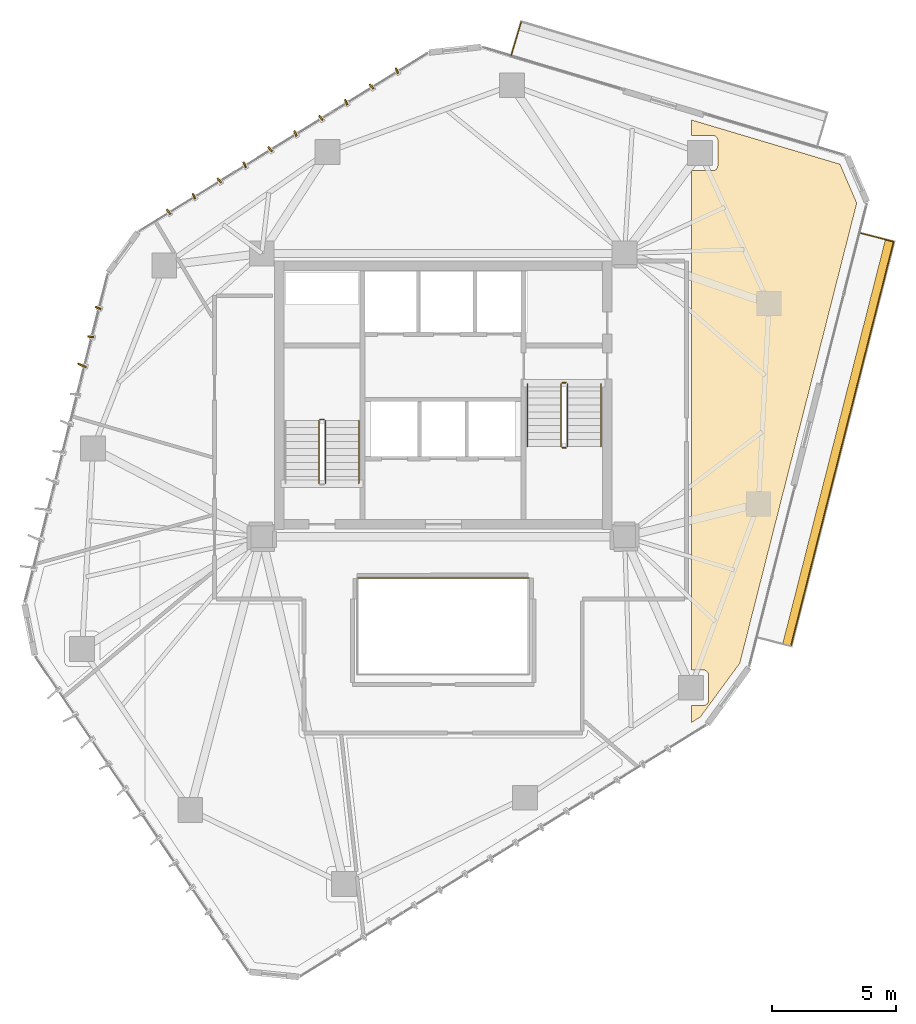
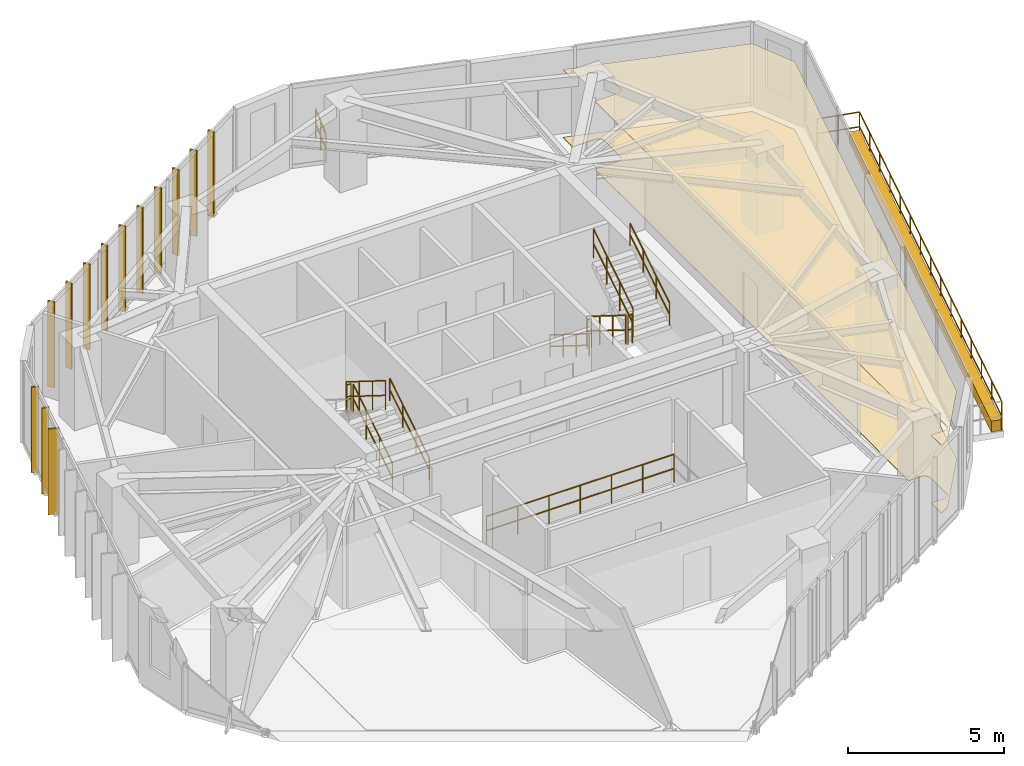
# One storey, part 20 of 21: 14 railings, 13 shading devices, 3 coverings.
"""IFC4 building model written with IfcOpenShell, lengths in metres."""

from ifc_helpers import new_model, si_unit, direction, frame, origin, origin_2d, place, context, subcontext, project, spatial, polyline, rectangle, circle, outline, extrude, source, transform, mapped, material, layer, layer_set, type_object, type_shapes, element, save


model = new_model("IFC4")

# Units and contexts
model_context = context("Model", 3, precision=1e-05, world=origin(), true_north=direction((0.0, 1.0)))
body_context = subcontext(model_context, "Body", "Model", "MODEL_VIEW")
ifc_project = project(units=[si_unit("LENGTHUNIT", "METRE"), si_unit("AREAUNIT", "SQUARE_METRE"), si_unit("VOLUMEUNIT", "CUBIC_METRE"), si_unit("PLANEANGLEUNIT", "RADIAN"), si_unit("MASSUNIT", "GRAM", prefix="KILO")], contexts=[model_context])

# Site, building, storey
site_placement = place(None, origin())
site = spatial("IfcSite", under=ifc_project, at=site_placement, CompositionType="ELEMENT")
building_placement = place(site_placement, origin())
building = spatial("IfcBuilding", under=site, at=building_placement, Name="Talar Marvaseh", CompositionType="ELEMENT")
storey_placement = place(building_placement, frame((0.0, 0.0, 184.5)))
storey = spatial("IfcBuildingStorey", under=building, at=storey_placement, Name="L48", CompositionType="ELEMENT", Elevation=184.5)

# Railings
ifc_material_1 = material(Name="Stainless Steel Grade 316", Category="steel")
railing_type_1 = type_object("IfcRailingType", Name="Brushed Stainless Wall Pitch Handrail 900", PredefinedType="HANDRAIL", material=ifc_material_1)
railing_1_placement = place(storey_placement, frame((22.610107421875, 27.64990234375, 0.175048828125)))
element("IfcRailing", 1, at=railing_1_placement, inside=storey, type_object=railing_type_1, Name="L48 ST-1 stair handrail 1", PredefinedType="HANDRAIL", context=body_context, shape_type="SweptSolid", body=[
    extrude(circle(Radius=0.02392578125, at=origin_2d()), frame((0.0, 0.0, 0.8759765625), z_axis=(0.0, 0.848007534815, 0.529984170421), x_axis=(-1.0, 0.0, 0.0)), (0.0, 0.0, 1.0), 2.9716796875),
    extrude(circle(Radius=0.02392578125, at=origin_2d()), frame((0.0, 0.0, 0.42578125), z_axis=(0.0, 0.848007534815, 0.529984170421), x_axis=(-1.0, 0.0, 0.0)), (0.0, 0.0, 1.0), 2.9716796875),
    extrude(circle(Radius=0.02099609375, at=origin_2d()), origin(), (0.0, 0.0, 1.0), 0.851806640625),
    extrude(circle(Radius=0.02099609375, at=origin_2d()), frame((0.0, 0.840087890625, 0.52490234375)), (0.0, 0.0, 1.0), 0.851806640625),
    extrude(circle(Radius=0.02099609375, at=origin_2d()), frame((0.0, 1.679931640625, 1.050048828125)), (0.0, 0.0, 1.0), 0.851806640625),
    extrude(circle(Radius=0.02099609375, at=origin_2d()), frame((0.0, 2.52001953125, 1.574951171875)), (0.0, 0.0, 1.0), 0.851806640625),
])
railing_2_placement = place(storey_placement, frame((29.389892578125, 31.64990234375, 0.175048828125)))
element("IfcRailing", 2, at=railing_2_placement, inside=storey, type_object=railing_type_1, Name="L48 ST-2 stair handrail 1", PredefinedType="HANDRAIL", context=body_context, shape_type="SweptSolid", body=[
    extrude(circle(Radius=0.02392578125, at=origin_2d()), frame((0.0, 0.0, 0.8759765625), z_axis=(0.0, -0.848007534815, 0.529984170421), x_axis=(1.0, 0.0, 0.0)), (0.0, 0.0, 1.0), 2.9716796875),
    extrude(circle(Radius=0.02392578125, at=origin_2d()), frame((0.0, 0.0, 0.42578125), z_axis=(0.0, -0.848007534815, 0.529984170421), x_axis=(1.0, 0.0, 0.0)), (0.0, 0.0, 1.0), 2.9716796875),
    extrude(circle(Radius=0.02099609375, at=origin_2d()), origin(), (0.0, 0.0, 1.0), 0.851806640625),
    extrude(circle(Radius=0.02099609375, at=origin_2d()), frame((0.0, -0.840087890625, 0.52490234375)), (0.0, 0.0, 1.0), 0.851806640625),
    extrude(circle(Radius=0.02099609375, at=origin_2d()), frame((0.0, -1.679931640625, 1.050048828125)), (0.0, 0.0, 1.0), 0.851806640625),
    extrude(circle(Radius=0.02099609375, at=origin_2d()), frame((0.0, -2.52001953125, 1.574951171875)), (0.0, 0.0, 1.0), 0.851806640625),
])
railing_3_placement = place(storey_placement, frame((32.35009765625, 29.1298828125, 1.925048828125)))
element("IfcRailing", 3, at=railing_3_placement, inside=storey, type_object=railing_type_1, Name="L48 ST-2 stair handrail 2", PredefinedType="HANDRAIL", context=body_context, shape_type="SweptSolid", body=[
    extrude(circle(Radius=0.02392578125, at=origin_2d()), frame((0.0, 0.0, 0.8759765625), z_axis=(0.0, 0.848007534815, 0.529984170421), x_axis=(-1.0, 0.0, 0.0)), (0.0, 0.0, 1.0), 2.9716796875),
    extrude(circle(Radius=0.02392578125, at=origin_2d()), frame((0.0, 0.0, 0.42578125), z_axis=(0.0, 0.848007534815, 0.529984170421), x_axis=(-1.0, 0.0, 0.0)), (0.0, 0.0, 1.0), 2.9716796875),
    extrude(circle(Radius=0.02099609375, at=origin_2d()), origin(), (0.0, 0.0, 1.0), 0.851806640625),
    extrude(circle(Radius=0.02099609375, at=origin_2d()), frame((0.0, 0.840087890625, 0.52490234375)), (0.0, 0.0, 1.0), 0.851806640625),
    extrude(circle(Radius=0.02099609375, at=origin_2d()), frame((0.0, 1.679931640625, 1.050048828125)), (0.0, 0.0, 1.0), 0.851806640625),
    extrude(circle(Radius=0.02099609375, at=origin_2d()), frame((0.0, 2.52001953125, 1.574951171875)), (0.0, 0.0, 1.0), 0.851806640625),
])
ifc_material_2 = material(Name="Tempered Clear Glass", Category="glass")
railing_type_2 = type_object("IfcRailingType", Name="External Laminated Glass Terrace Balustrade 1150", PredefinedType="BALUSTRADE", material=ifc_material_2)
railing_4_placement = place(storey_placement, frame((28.740478515625, 44.872802734375, 0.0)))
element("IfcRailing", 4, at=railing_4_placement, inside=storey, type_object=railing_type_2, Name="L48 External Terrace Balustrade 1 1", PredefinedType="BALUSTRADE", context=body_context, shape_type="SweptSolid", body=[
    extrude(circle(Radius=0.02392578125, at=origin_2d()), frame((0.0, 0.0, 1.1259765625), z_axis=(0.285520575177, 0.958372579507, 0.0), x_axis=(-0.958372579507, 0.285520575177, 0.0)), (0.0, 0.0, 1.0), 1.409912109375),
    extrude(circle(Radius=0.02392578125, at=origin_2d()), frame((0.0, 0.0, 0.55078125), z_axis=(0.285520575177, 0.958372579507, 0.0), x_axis=(-0.958372579507, 0.285520575177, 0.0)), (0.0, 0.0, 1.0), 1.409912109375),
    extrude(circle(Radius=0.02099609375, at=origin_2d()), origin(), (0.0, 0.0, 1.0), 1.101806640625),
    extrude(circle(Radius=0.02099609375, at=origin_2d()), frame((0.201171875, 0.67578125, 0.0)), (0.0, 0.0, 1.0), 1.101806640625),
    extrude(circle(Radius=0.02099609375, at=origin_2d()), frame((0.402587890625, 1.351318359375, 0.0)), (0.0, 0.0, 1.0), 1.101806640625),
])
railing_5_placement = place(storey_placement, frame((42.772216796875, 37.724609375, 0.0)))
element("IfcRailing", 5, at=railing_5_placement, inside=storey, type_object=railing_type_2, Name="L48 External Terrace Balustrade 2 1", PredefinedType="BALUSTRADE", context=body_context, shape_type="SweptSolid", body=[
    extrude(circle(Radius=0.02392578125, at=origin_2d()), frame((0.0, 0.0, 1.1259765625), z_axis=(0.969218966139, -0.246200316158, 0.0), x_axis=(0.246200316158, 0.969218966139, 0.0)), (0.0, 0.0, 1.0), 1.41015625),
    extrude(circle(Radius=0.02392578125, at=origin_2d()), frame((0.0, 0.0, 0.55078125), z_axis=(0.969218966139, -0.246200316158, 0.0), x_axis=(0.246200316158, 0.969218966139, 0.0)), (0.0, 0.0, 1.0), 1.41015625),
    extrude(circle(Radius=0.02099609375, at=origin_2d()), origin(), (0.0, 0.0, 1.0), 1.101806640625),
    extrude(circle(Radius=0.02099609375, at=origin_2d()), frame((0.683349609375, -0.173583984375, 0.0)), (0.0, 0.0, 1.0), 1.101806640625),
    extrude(circle(Radius=0.02099609375, at=origin_2d()), frame((1.36669921875, -0.34716796875, 0.0)), (0.0, 0.0, 1.0), 1.101806640625),
])
railing_6_placement = place(storey_placement, frame((44.138916015625, 37.37744140625, 0.0)))
element("IfcRailing", 6, at=railing_6_placement, inside=storey, type_object=railing_type_2, Name="L48 External Terrace Balustrade 2 2", PredefinedType="BALUSTRADE", context=body_context, shape_type="SweptSolid", body=[
    extrude(circle(Radius=0.02392578125, at=origin_2d()), frame((0.0, 0.0, 1.1259765625), z_axis=(-0.246304550582, -0.969192482618, 0.0), x_axis=(0.969192482618, -0.246304550582, 0.0)), (0.0, 0.0, 1.0), 16.7880859375),
    extrude(circle(Radius=0.02392578125, at=origin_2d()), frame((0.0, 0.0, 0.55078125), z_axis=(-0.246304550582, -0.969192482618, 0.0), x_axis=(0.969192482618, -0.246304550582, 0.0)), (0.0, 0.0, 1.0), 16.7880859375),
    extrude(circle(Radius=0.02099609375, at=origin_2d()), origin(), (0.0, 0.0, 1.0), 1.101806640625),
    extrude(circle(Radius=0.02099609375, at=origin_2d()), frame((-0.29541015625, -1.162109375, 0.0)), (0.0, 0.0, 1.0), 1.101806640625),
    extrude(circle(Radius=0.02099609375, at=origin_2d()), frame((-0.5908203125, -2.324462890625, 0.0)), (0.0, 0.0, 1.0), 1.101806640625),
    extrude(circle(Radius=0.02099609375, at=origin_2d()), frame((-0.885986328125, -3.486572265625, 0.0)), (0.0, 0.0, 1.0), 1.101806640625),
    extrude(circle(Radius=0.02099609375, at=origin_2d()), frame((-1.181396484375, -4.64892578125, 0.0)), (0.0, 0.0, 1.0), 1.101806640625),
    extrude(circle(Radius=0.02099609375, at=origin_2d()), frame((-1.476806640625, -5.81103515625, 0.0)), (0.0, 0.0, 1.0), 1.101806640625),
    extrude(circle(Radius=0.02099609375, at=origin_2d()), frame((-1.772216796875, -6.973388671875, 0.0)), (0.0, 0.0, 1.0), 1.101806640625),
    extrude(circle(Radius=0.02099609375, at=origin_2d()), frame((-2.0673828125, -8.135498046875, 0.0)), (0.0, 0.0, 1.0), 1.101806640625),
    extrude(circle(Radius=0.02099609375, at=origin_2d()), frame((-2.36279296875, -9.297607421875, 0.0)), (0.0, 0.0, 1.0), 1.101806640625),
    extrude(circle(Radius=0.02099609375, at=origin_2d()), frame((-2.658203125, -10.4599609375, 0.0)), (0.0, 0.0, 1.0), 1.101806640625),
    extrude(circle(Radius=0.02099609375, at=origin_2d()), frame((-2.95361328125, -11.6220703125, 0.0)), (0.0, 0.0, 1.0), 1.101806640625),
    extrude(circle(Radius=0.02099609375, at=origin_2d()), frame((-3.2490234375, -12.784423828125, 0.0)), (0.0, 0.0, 1.0), 1.101806640625),
    extrude(circle(Radius=0.02099609375, at=origin_2d()), frame((-3.544189453125, -13.946533203125, 0.0)), (0.0, 0.0, 1.0), 1.101806640625),
    extrude(circle(Radius=0.02099609375, at=origin_2d()), frame((-3.839599609375, -15.10888671875, 0.0)), (0.0, 0.0, 1.0), 1.101806640625),
    extrude(circle(Radius=0.02099609375, at=origin_2d()), frame((-4.135009765625, -16.27099609375, 0.0)), (0.0, 0.0, 1.0), 1.101806640625),
])
railing_type_3 = type_object("IfcRailingType", Name="Interior Atrium Edge Balustrade 1120", PredefinedType="BALUSTRADE", material=ifc_material_2)
railing_7_placement = place(storey_placement, frame((29.4697265625, 23.839111328125, 0.0)))
element("IfcRailing", 7, at=railing_7_placement, inside=storey, type_object=railing_type_3, Name="L48 Internal Daylight Atrium Balustrade 3", PredefinedType="BALUSTRADE", context=body_context, shape_type="SweptSolid", body=[
    extrude(circle(Radius=0.02392578125, at=origin_2d()), frame((0.0, 0.0, 1.09619140625), z_axis=(-1.0, 0.0, 0.0), x_axis=(0.0, -1.0, 0.0)), (0.0, 0.0, 1.0), 6.939453125),
    extrude(circle(Radius=0.02392578125, at=origin_2d()), frame((0.0, 0.0, 0.5361328125), z_axis=(-1.0, 0.0, 0.0), x_axis=(0.0, -1.0, 0.0)), (0.0, 0.0, 1.0), 6.939453125),
    extrude(circle(Radius=0.02099609375, at=origin_2d()), origin(), (0.0, 0.0, 1.0), 1.072021484375),
    extrude(circle(Radius=0.02099609375, at=origin_2d()), frame((-1.156494140625, 0.0, 0.0)), (0.0, 0.0, 1.0), 1.072021484375),
    extrude(circle(Radius=0.02099609375, at=origin_2d()), frame((-2.313232421875, 0.0, 0.0)), (0.0, 0.0, 1.0), 1.072021484375),
    extrude(circle(Radius=0.02099609375, at=origin_2d()), frame((-3.4697265625, 0.0, 0.0)), (0.0, 0.0, 1.0), 1.072021484375),
    extrude(circle(Radius=0.02099609375, at=origin_2d()), frame((-4.626220703125, 0.0, 0.0)), (0.0, 0.0, 1.0), 1.072021484375),
    extrude(circle(Radius=0.02099609375, at=origin_2d()), frame((-5.782958984375, 0.0, 0.0)), (0.0, 0.0, 1.0), 1.072021484375),
    extrude(circle(Radius=0.02099609375, at=origin_2d()), frame((-6.939453125, 0.0, 0.0)), (0.0, 0.0, 1.0), 1.072021484375),
])
railing_type_4 = type_object("IfcRailingType", Name="Painted Steel Core Stair Well Guardrail 1150", PredefinedType="GUARDRAIL", material=ifc_material_1)
railing_8_placement = place(storey_placement, frame((21.260009765625, 27.64990234375, 0.175048828125)))
element("IfcRailing", 8, at=railing_8_placement, inside=storey, type_object=railing_type_4, Name="L48 ST-1 stair guard 1", PredefinedType="GUARDRAIL", context=body_context, shape_type="SweptSolid", body=[
    extrude(circle(Radius=0.02392578125, at=origin_2d()), frame((0.0, 0.0, 1.1259765625), z_axis=(0.0, 0.848007534815, 0.529984170421), x_axis=(-1.0, 0.0, 0.0)), (0.0, 0.0, 1.0), 2.9716796875),
    extrude(circle(Radius=0.02392578125, at=origin_2d()), frame((0.0, 0.0, 0.55078125), z_axis=(0.0, 0.848007534815, 0.529984170421), x_axis=(-1.0, 0.0, 0.0)), (0.0, 0.0, 1.0), 2.9716796875),
    extrude(circle(Radius=0.02099609375, at=origin_2d()), origin(), (0.0, 0.0, 1.0), 1.101806640625),
    extrude(circle(Radius=0.02099609375, at=origin_2d()), frame((0.0, 0.840087890625, 0.52490234375)), (0.0, 0.0, 1.0), 1.101806640625),
    extrude(circle(Radius=0.02099609375, at=origin_2d()), frame((0.0, 1.679931640625, 1.050048828125)), (0.0, 0.0, 1.0), 1.101806640625),
    extrude(circle(Radius=0.02099609375, at=origin_2d()), frame((0.0, 2.52001953125, 1.574951171875)), (0.0, 0.0, 1.0), 1.101806640625),
])
railing_9_placement = place(storey_placement, frame((21.2099609375, 30.219970703125, 1.75)))
element("IfcRailing", 9, at=railing_9_placement, inside=storey, type_object=railing_type_4, Name="L48 ST-1 stair guard 2", PredefinedType="GUARDRAIL", context=body_context, shape_type="SweptSolid", body=[
    extrude(circle(Radius=0.02392578125, at=origin_2d()), frame((0.0, 0.0, 1.1259765625), z_axis=(-1.0, 0.0, 0.0), x_axis=(0.0, -1.0, 0.0)), (0.0, 0.0, 1.0), 0.159912109375),
    extrude(circle(Radius=0.02392578125, at=origin_2d()), frame((0.0, 0.0, 0.55078125), z_axis=(-1.0, 0.0, 0.0), x_axis=(0.0, -1.0, 0.0)), (0.0, 0.0, 1.0), 0.159912109375),
    extrude(circle(Radius=0.02099609375, at=origin_2d()), origin(), (0.0, 0.0, 1.0), 1.101806640625),
    extrude(circle(Radius=0.02099609375, at=origin_2d()), frame((-0.159912109375, 0.0, 0.0)), (0.0, 0.0, 1.0), 1.101806640625),
])
for number, where, name in (
    (10, (21.0, 30.169921875, 1.925048828125), "L48 ST-1 stair guard 3"),
    (11, (30.739990234375, 31.64990234375, 0.175048828125), "L48 ST-2 stair guard 1"),
):
    element("IfcRailing", number, at=place(storey_placement, frame(where)), inside=storey, type_object=railing_type_4, Name=name, PredefinedType="GUARDRAIL", context=body_context, shape_type="SweptSolid", body=[
        extrude(circle(Radius=0.02392578125, at=origin_2d()), frame((0.0, 0.0, 1.1259765625), z_axis=(0.0, -0.848007534815, 0.529984170421), x_axis=(1.0, 0.0, 0.0)), (0.0, 0.0, 1.0), 2.9716796875),
        extrude(circle(Radius=0.02392578125, at=origin_2d()), frame((0.0, 0.0, 0.55078125), z_axis=(0.0, -0.848007534815, 0.529984170421), x_axis=(1.0, 0.0, 0.0)), (0.0, 0.0, 1.0), 2.9716796875),
        extrude(circle(Radius=0.02099609375, at=origin_2d()), origin(), (0.0, 0.0, 1.0), 1.101806640625),
        extrude(circle(Radius=0.02099609375, at=origin_2d()), frame((0.0, -0.840087890625, 0.52490234375)), (0.0, 0.0, 1.0), 1.101806640625),
        extrude(circle(Radius=0.02099609375, at=origin_2d()), frame((0.0, -1.679931640625, 1.050048828125)), (0.0, 0.0, 1.0), 1.101806640625),
        extrude(circle(Radius=0.02099609375, at=origin_2d()), frame((0.0, -2.52001953125, 1.574951171875)), (0.0, 0.0, 1.0), 1.101806640625),
    ])
railing_10_placement = place(storey_placement, frame((30.7900390625, 29.080078125, 1.75)))
element("IfcRailing", 12, at=railing_10_placement, inside=storey, type_object=railing_type_4, Name="L48 ST-2 stair guard 2", PredefinedType="GUARDRAIL", context=body_context, shape_type="SweptSolid", body=[
    extrude(circle(Radius=0.02392578125, at=origin_2d()), frame((0.0, 0.0, 1.1259765625), z_axis=(1.0, 0.0, 0.0), x_axis=(0.0, 1.0, 0.0)), (0.0, 0.0, 1.0), 0.159912109375),
    extrude(circle(Radius=0.02392578125, at=origin_2d()), frame((0.0, 0.0, 0.55078125), z_axis=(1.0, 0.0, 0.0), x_axis=(0.0, 1.0, 0.0)), (0.0, 0.0, 1.0), 0.159912109375),
    extrude(circle(Radius=0.02099609375, at=origin_2d()), origin(), (0.0, 0.0, 1.0), 1.101806640625),
    extrude(circle(Radius=0.02099609375, at=origin_2d()), frame((0.159912109375, 0.0, 0.0)), (0.0, 0.0, 1.0), 1.101806640625),
])
railing_11_placement = place(storey_placement, frame((31.0, 29.1298828125, 1.925048828125)))
element("IfcRailing", 13, at=railing_11_placement, inside=storey, type_object=railing_type_4, Name="L48 ST-2 stair guard 3", PredefinedType="GUARDRAIL", context=body_context, shape_type="SweptSolid", body=[
    extrude(circle(Radius=0.02392578125, at=origin_2d()), frame((0.0, 0.0, 1.1259765625), z_axis=(0.0, 0.848007534815, 0.529984170421), x_axis=(-1.0, 0.0, 0.0)), (0.0, 0.0, 1.0), 2.9716796875),
    extrude(circle(Radius=0.02392578125, at=origin_2d()), frame((0.0, 0.0, 0.55078125), z_axis=(0.0, 0.848007534815, 0.529984170421), x_axis=(-1.0, 0.0, 0.0)), (0.0, 0.0, 1.0), 2.9716796875),
    extrude(circle(Radius=0.02099609375, at=origin_2d()), origin(), (0.0, 0.0, 1.0), 1.101806640625),
    extrude(circle(Radius=0.02099609375, at=origin_2d()), frame((0.0, 0.840087890625, 0.52490234375)), (0.0, 0.0, 1.0), 1.101806640625),
    extrude(circle(Radius=0.02099609375, at=origin_2d()), frame((0.0, 1.679931640625, 1.050048828125)), (0.0, 0.0, 1.0), 1.101806640625),
    extrude(circle(Radius=0.02099609375, at=origin_2d()), frame((0.0, 2.52001953125, 1.574951171875)), (0.0, 0.0, 1.0), 1.101806640625),
])
railing_12_placement = place(storey_placement, frame((30.7900390625, 31.699951171875, 0.0)))
element("IfcRailing", 14, at=railing_12_placement, inside=storey, type_object=railing_type_4, Name="L48 ST-2 stair guard 4", PredefinedType="GUARDRAIL", context=body_context, shape_type="SweptSolid", body=[
    extrude(circle(Radius=0.02392578125, at=origin_2d()), frame((0.0, 0.0, 1.1259765625), z_axis=(1.0, 0.0, 0.0), x_axis=(0.0, 1.0, 0.0)), (0.0, 0.0, 1.0), 0.159912109375),
    extrude(circle(Radius=0.02392578125, at=origin_2d()), frame((0.0, 0.0, 0.55078125), z_axis=(1.0, 0.0, 0.0), x_axis=(0.0, 1.0, 0.0)), (0.0, 0.0, 1.0), 0.159912109375),
    extrude(circle(Radius=0.02099609375, at=origin_2d()), origin(), (0.0, 0.0, 1.0), 1.101806640625),
    extrude(circle(Radius=0.02099609375, at=origin_2d()), frame((0.159912109375, 0.0, 0.0)), (0.0, 0.0, 1.0), 1.101806640625),
])

# Coverings
ifc_material_3 = material(Name="Mineral Fibre Acoustic Ceiling")
ifc_layer_1 = layer(ifc_material_3, 0.02490234375)
ifc_layer_set_1 = layer_set([ifc_layer_1], Name="Mineral Fibre Acoustic Ceiling")
covering_type_1 = type_object("IfcCoveringType", Name="Perforated Mineral Fibre Acoustic Suspended Ceiling", PredefinedType="CEILING", material=ifc_layer_set_1)
covering_1_placement = place(storey_placement, frame((0.0, 0.0, 2.64990234375)))
element("IfcCovering", 15, at=covering_1_placement, inside=storey, type_object=covering_type_1, Name="L48 Collection Conservation Store Acoustic Ceiling", PredefinedType="CEILING", context=body_context, shape_type="SweptSolid", body=[
    extrude(outline(polyline([(42.64453125, 38.927490234375), (37.938720703125, 20.40966796875), (36.35205078125, 18.24609375), (36.0, 18.028076171875), (36.0, 18.71240234375), (36.481689453125, 18.71240234375), (36.501220703125, 18.71337890625), (36.5205078125, 18.71630859375), (36.53955078125, 18.720947265625), (36.557861328125, 18.7275390625), (36.57568359375, 18.73583984375), (36.59228515625, 18.745849609375), (36.608154296875, 18.757568359375), (36.622802734375, 18.770751953125), (36.635986328125, 18.78515625), (36.647705078125, 18.80078125), (36.65771484375, 18.817626953125), (36.666015625, 18.835205078125), (36.6728515625, 18.853759765625), (36.677490234375, 18.872802734375), (36.6806640625, 18.89208984375), (36.681640625, 18.91162109375), (36.685791015625, 19.923583984375), (36.68505859375, 19.9423828125), (36.6826171875, 19.960693359375), (36.678466796875, 19.97900390625), (36.672607421875, 19.99658203125), (36.664794921875, 20.013671875), (36.656005859375, 20.02978515625), (36.645263671875, 20.04541015625), (36.63330078125, 20.0595703125), (36.6201171875, 20.07275390625), (36.605224609375, 20.086181640625), (36.591064453125, 20.097900390625), (36.57568359375, 20.1083984375), (36.5595703125, 20.1171875), (36.54248046875, 20.124755859375), (36.52490234375, 20.130615234375), (36.507080078125, 20.134765625), (36.488525390625, 20.13720703125), (36.47021484375, 20.137939453125), (36.0, 20.135986328125), (36.0, 23.0), (36.0, 36.60009765625), (36.0, 40.2314453125), (36.8515625, 40.2314453125), (36.87109375, 40.232421875), (36.890380859375, 40.235107421875), (36.909423828125, 40.239990234375), (36.927978515625, 40.24658203125), (36.945556640625, 40.2548828125), (36.96240234375, 40.264892578125), (36.978271484375, 40.276611328125), (36.99267578125, 40.289794921875), (37.005859375, 40.30419921875), (37.017578125, 40.31982421875), (37.027587890625, 40.336669921875), (37.0361328125, 40.354248046875), (37.042724609375, 40.372802734375), (37.047607421875, 40.3916015625), (37.050537109375, 40.410888671875), (37.051513671875, 40.4306640625), (37.055908203125, 41.442626953125), (37.05517578125, 41.461181640625), (37.052490234375, 41.479736328125), (37.04833984375, 41.497802734375), (37.04248046875, 41.515625), (37.034912109375, 41.53271484375), (37.02587890625, 41.548828125), (37.015380859375, 41.564208984375), (37.00341796875, 41.57861328125), (36.990234375, 41.591796875), (36.975341796875, 41.605224609375), (36.9609375, 41.616943359375), (36.94580078125, 41.62744140625), (36.929443359375, 41.63623046875), (36.91259765625, 41.643798828125), (36.89501953125, 41.649658203125), (36.876953125, 41.65380859375), (36.858642578125, 41.65625), (36.840087890625, 41.656982421875), (36.0, 41.6533203125), (36.0, 42.27099609375), (41.97021484375, 40.491455078125), (42.64453125, 38.927490234375)])), origin(), (0.0, 0.0, 1.0), 0.025146484375),
])
ifc_material_4 = material(Name="Planted Terrace Vegetated Substrate")
ifc_layer_2 = layer(ifc_material_4, 0.39990234375)
ifc_layer_set_2 = layer_set([ifc_layer_2], Name="Planted Terrace Vegetated Substrate")
covering_type_2 = type_object("IfcCoveringType", Name="Planted Terrace Soil Planter Box Cladding", PredefinedType="CLADDING", material=ifc_layer_set_2)
covering_2_placement = place(storey_placement, origin())
element("IfcCovering", 16, at=covering_2_placement, inside=storey, type_object=covering_type_2, Name="L48 Balcony Structural Planter 2", PredefinedType="CLADDING", context=body_context, shape_type="SweptSolid", body=[
    extrude(outline(polyline([(44.138916015625, 37.37744140625), (40.00390625, 21.1064453125), (39.664794921875, 21.192626953125), (43.799560546875, 37.463623046875), (44.138916015625, 37.37744140625)])), origin(), (0.0, 0.0, 1.0), 0.419921875),
])
ifc_material_5 = material(Name="Porcelain Stoneware Tile", Category="masonry")
ifc_layer_3 = layer(ifc_material_5, 0.02001953125)
ifc_layer_set_3 = layer_set([ifc_layer_3], Name="Porcelain Stoneware Tile")
covering_type_3 = type_object("IfcCoveringType", Name="Polished Porcelain Stoneware Gallery Flooring", PredefinedType="FLOORING", material=ifc_layer_set_3)
covering_3_placement = place(storey_placement, origin())
element("IfcCovering", 17, at=covering_3_placement, inside=storey, type_object=covering_type_3, Name="L48 Collection Conservation Store Flooring", PredefinedType="FLOORING", context=body_context, shape_type="SweptSolid", body=[
    extrude(outline(polyline([(42.64453125, 38.927490234375), (37.938720703125, 20.40966796875), (36.35205078125, 18.24609375), (36.0, 18.028076171875), (36.0, 18.71240234375), (36.481689453125, 18.71240234375), (36.501220703125, 18.71337890625), (36.5205078125, 18.71630859375), (36.53955078125, 18.720947265625), (36.557861328125, 18.7275390625), (36.57568359375, 18.73583984375), (36.59228515625, 18.745849609375), (36.608154296875, 18.757568359375), (36.622802734375, 18.770751953125), (36.635986328125, 18.78515625), (36.647705078125, 18.80078125), (36.65771484375, 18.817626953125), (36.666015625, 18.835205078125), (36.6728515625, 18.853759765625), (36.677490234375, 18.872802734375), (36.6806640625, 18.89208984375), (36.681640625, 18.91162109375), (36.685791015625, 19.923583984375), (36.68505859375, 19.9423828125), (36.6826171875, 19.960693359375), (36.678466796875, 19.97900390625), (36.672607421875, 19.99658203125), (36.664794921875, 20.013671875), (36.656005859375, 20.02978515625), (36.645263671875, 20.04541015625), (36.63330078125, 20.0595703125), (36.6201171875, 20.07275390625), (36.605224609375, 20.086181640625), (36.591064453125, 20.097900390625), (36.57568359375, 20.1083984375), (36.5595703125, 20.1171875), (36.54248046875, 20.124755859375), (36.52490234375, 20.130615234375), (36.507080078125, 20.134765625), (36.488525390625, 20.13720703125), (36.47021484375, 20.137939453125), (36.0, 20.135986328125), (36.0, 23.0), (36.0, 36.60009765625), (36.0, 40.2314453125), (36.8515625, 40.2314453125), (36.87109375, 40.232421875), (36.890380859375, 40.235107421875), (36.909423828125, 40.239990234375), (36.927978515625, 40.24658203125), (36.945556640625, 40.2548828125), (36.96240234375, 40.264892578125), (36.978271484375, 40.276611328125), (36.99267578125, 40.289794921875), (37.005859375, 40.30419921875), (37.017578125, 40.31982421875), (37.027587890625, 40.336669921875), (37.0361328125, 40.354248046875), (37.042724609375, 40.372802734375), (37.047607421875, 40.3916015625), (37.050537109375, 40.410888671875), (37.051513671875, 40.4306640625), (37.055908203125, 41.442626953125), (37.05517578125, 41.461181640625), (37.052490234375, 41.479736328125), (37.04833984375, 41.497802734375), (37.04248046875, 41.515625), (37.034912109375, 41.53271484375), (37.02587890625, 41.548828125), (37.015380859375, 41.564208984375), (37.00341796875, 41.57861328125), (36.990234375, 41.591796875), (36.975341796875, 41.605224609375), (36.9609375, 41.616943359375), (36.94580078125, 41.62744140625), (36.929443359375, 41.63623046875), (36.91259765625, 41.643798828125), (36.89501953125, 41.649658203125), (36.876953125, 41.65380859375), (36.858642578125, 41.65625), (36.840087890625, 41.656982421875), (36.0, 41.6533203125), (36.0, 42.27099609375), (41.97021484375, 40.491455078125), (42.64453125, 38.927490234375)])), origin(), (0.0, 0.0, 1.0), 0.02001953125),
])

# Shading devices
ifc_material_6 = material(Name="Anodised Champagne Bronze Aluminium", Category="aluminium")
ifc_layer_4 = layer(ifc_material_6, 0.06494140625)
ifc_layer_set_4 = layer_set([ifc_layer_4], Name="Anodised Champagne Bronze Aluminium")
shading_device_type_1 = type_object("IfcShadingDeviceType", Name="Sawtooth Champagne Bronze Vertical Fin 240", PredefinedType="USERDEFINED", material=ifc_layer_set_4)
shared_shape_1 = source(origin(), body_context, "Body", "SweptSolid", [
    extrude(rectangle(XDim=0.239990234375, YDim=0.06494140625, at=origin_2d()), origin(), (0.0, 0.0, 1.0), 3.35009765625),
])
type_shapes(shading_device_type_1, [shared_shape_1])
for number, where, z_axis, x_axis, name in (
    (18, (11.818115234375, 33.544189453125, -0.1201171875), (0.0, 0.0, 1.0), (-0.994188602291, 0.107652324982, 0.0), "L48 Sawtooth Vertical Solar Fin"),
    (19, (12.1123046875, 34.70751953125, -0.1201171875), (0.0, 0.0, 1.0), (-0.926002419716, 0.377517574003, 0.0), "L48 Sawtooth Vertical Solar Fin"),
    (20, (14.94970703125, 38.57763671875, -0.1201171875), (0.0, 0.0, 1.0), (-0.638499207495, 0.769622480199, 0.0), "L48 Sawtooth Vertical Solar Fin"),
    (21, (15.970947265625, 39.2080078125, -0.1201171875), (0.0, 0.0, 1.0), (-0.401628125633, 0.915802843794, 0.0), "L48 Sawtooth Vertical Solar Fin"),
    (22, (16.9921875, 39.838134765625, -0.1201171875), (0.0, 0.0, 1.0), (-0.638499207495, 0.769622480199, 0.0), "L48 Sawtooth Vertical Solar Fin"),
    (23, (18.01318359375, 40.468505859375, -0.1201171875), (0.0, 0.0, 1.0), (-0.401628125633, 0.915802843794, 0.0), "L48 Sawtooth Vertical Solar Fin"),
    (24, (19.034423828125, 41.0986328125, -0.1201171875), (0.0, 0.0, 1.0), (-0.638499207495, 0.769622480199, 0.0), "L48 Sawtooth Vertical Solar Fin"),
    (25, (20.0556640625, 41.72900390625, -0.1201171875), (0.0, 0.0, 1.0), (-0.401628125633, 0.915802843794, 0.0), "L48 Sawtooth Vertical Solar Fin"),
    (26, (21.076904296875, 42.359130859375, -0.1201171875), (0.0, 0.0, 1.0), (-0.638499207495, 0.769622480199, 0.0), "L48 Sawtooth Vertical Solar Fin"),
    (27, (22.097900390625, 42.989501953125, -0.1201171875), (0.0, 0.0, 1.0), (-0.401628125633, 0.915802843794, 0.0), "L48 Sawtooth Vertical Solar Fin"),
    (28, (23.119140625, 43.61962890625, -0.1201171875), (0.0, 0.0, 1.0), (-0.638499207495, 0.769622480199, 0.0), "L48 Sawtooth Vertical Solar Fin"),
    (29, (24.140380859375, 44.25, -0.1201171875), (0.0, 0.0, 1.0), (-0.401628125633, 0.915802843794, 0.0), "L48 Sawtooth Vertical Solar Fin"),
):
    element("IfcShadingDevice", number, at=place(storey_placement, frame(where, z_axis=z_axis, x_axis=x_axis)), inside=storey, type_object=shading_device_type_1, Name=name, ObjectType="FIN", PredefinedType="USERDEFINED", context=body_context, shape_type="MappedRepresentation", body=[
        mapped(shared_shape_1, transform((0.0, 0.0, 0.0), x_axis=(1.0, 0.0, 0.0), y_axis=(0.0, 1.0, 0.0), z_axis=(0.0, 0.0, 1.0), scale=1.0)),
    ])
ifc_layer_5 = layer(ifc_material_6, 0.06494140625)
ifc_layer_set_5 = layer_set([ifc_layer_5], Name="Anodised Champagne Bronze Aluminium")
shading_device_type_2 = type_object("IfcShadingDeviceType", Name="Sawtooth Champagne Bronze Vertical Fin 360", PredefinedType="USERDEFINED", material=ifc_layer_set_5)
shared_shape_2 = source(origin(), body_context, "Body", "SweptSolid", [
    extrude(rectangle(XDim=0.360107421875, YDim=0.06494140625, at=origin_2d()), origin(), (0.0, 0.0, 1.0), 3.35009765625),
])
type_shapes(shading_device_type_2, [shared_shape_2])
shading_device_placement = place(storey_placement, frame((11.466064453125, 32.3955078125, -0.1201171875), z_axis=(0.0, 0.0, 1.0), x_axis=(-0.926002419716, 0.377517574003, 0.0)))
element("IfcShadingDevice", 30, at=shading_device_placement, inside=storey, type_object=shading_device_type_2, Name="L48 Sawtooth Vertical Solar Fin", ObjectType="FIN", PredefinedType="USERDEFINED", context=body_context, shape_type="MappedRepresentation", body=[
    mapped(shared_shape_2, transform((0.0, 0.0, 0.0), x_axis=(1.0, 0.0, 0.0), y_axis=(0.0, 1.0, 0.0), z_axis=(0.0, 0.0, 1.0), scale=1.0)),
])

save(model, "model.ifc")
